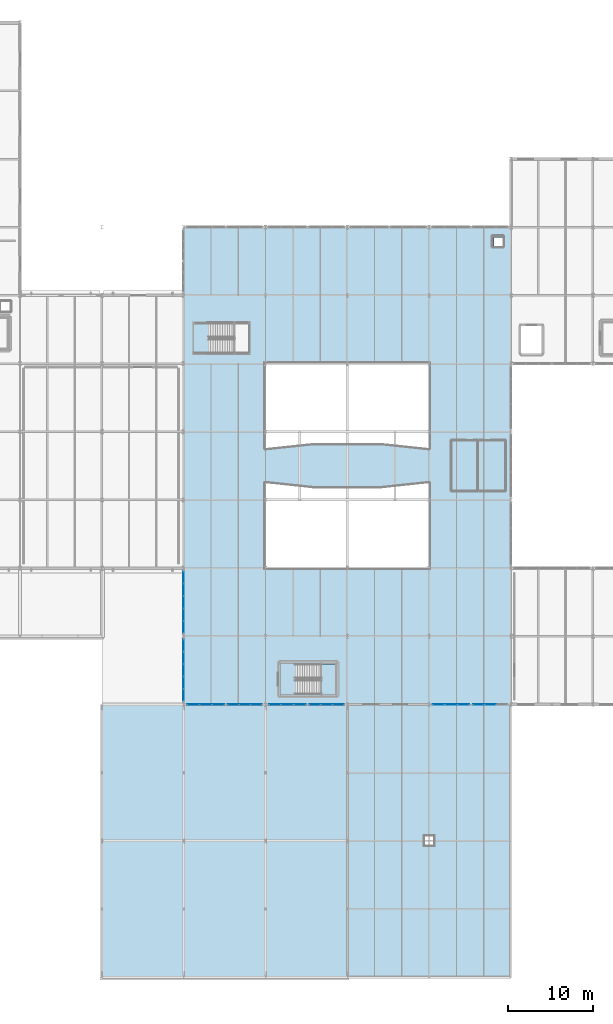
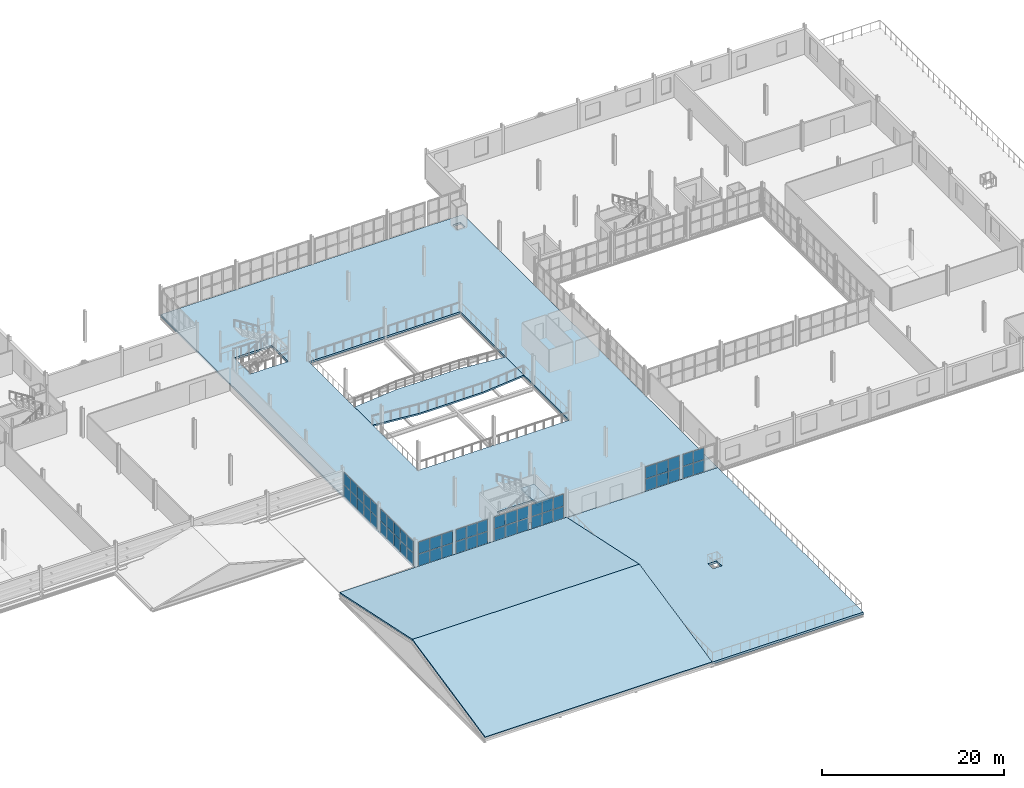
# One storey, part 58 of 85: 54 plates, 6 slabs, 9 elements without a shape of their own.
"""IFC4 building model written with IfcOpenShell, lengths in metres."""

from ifc_helpers import new_model, si_unit, direction, frame, origin, origin_2d, place, context, subcontext, project, spatial, polyline, rectangle, outline, extrude, material, layer, layer_set, type_object, element, aggregate, save


model = new_model("IFC4")

# Units and contexts
model_context = context("Model", 3, precision=1e-05, world=origin(), true_north=direction((0.0, 1.0)))
body_context = subcontext(model_context, "Body", "Model", "MODEL_VIEW")
ifc_project = project(units=[si_unit("LENGTHUNIT", "METRE"), si_unit("AREAUNIT", "SQUARE_METRE"), si_unit("VOLUMEUNIT", "CUBIC_METRE"), si_unit("PLANEANGLEUNIT", "RADIAN"), si_unit("MASSUNIT", "GRAM", prefix="KILO")], contexts=[model_context])

# Site, building, storey
site_placement = place(None, origin())
site = spatial("IfcSite", under=ifc_project, at=site_placement, CompositionType="ELEMENT")
building_placement = place(site_placement, origin())
building = spatial("IfcBuilding", under=site, at=building_placement, Name="Alderhovde Museum", CompositionType="ELEMENT")
storey_placement = place(building_placement, frame((0.0, 0.0, 8.699951171875)))
storey = spatial("IfcBuildingStorey", under=building, at=storey_placement, Name="L02", CompositionType="ELEMENT", Elevation=8.699951171875)

# Curtain wall, plates
ifc_material_1 = material(Name="Triple-Glazed Bronze-Anodised Curtain Wall", Category="glass")
ifc_layer_1 = layer(ifc_material_1, 0.179931640625)
ifc_layer_set_1 = layer_set([ifc_layer_1], Name="Triple-Glazed Bronze-Anodised Curtain Wall")
curtain_wall_type_1 = type_object("IfcCurtainWallType", Name="CW-UNIT-415x336", PredefinedType="USERDEFINED", material=ifc_layer_set_1)
curtain_wall_1_placement = place(storey_placement, origin())
curtain_wall_1 = element("IfcCurtainWall", 1, at=curtain_wall_1_placement, inside=storey, type_object=curtain_wall_type_1, Name="L02 Unitised Curtain Wall 36", ObjectType="UNITISED CURTAIN WALL", PredefinedType="USERDEFINED")
ifc_material_2 = material(Name="Triple-Glazed Low-E Laminated Glass", Category="glass")
ifc_layer_2 = layer(ifc_material_2, 0.028076171875)
ifc_layer_set_2 = layer_set([ifc_layer_2], Name="Triple-Glazed Low-E Laminated Glass")
plate_type_1 = type_object("IfcPlateType", Name="CWP-GLAZ-28", PredefinedType="CURTAIN_PANEL", material=ifc_layer_set_2)
plate_1_placement = place(storey_placement, frame((82.60791015625, 32.0, 0.06494140625), z_axis=(0.0, 0.0, 1.0), x_axis=(1.0, 0.0, 0.0)))
plate_1 = element("IfcPlate", 2, at=plate_1_placement, type_object=plate_type_1, Name="CW11 panel 1.1", PredefinedType="CURTAIN_PANEL", context=body_context, shape_type="SweptSolid", body=[
    extrude(rectangle(XDim=1.285888671875, YDim=0.028076171875, at=origin_2d()), origin(), (0.0, 0.0, 1.0), 1.58251953125),
])
plate_2_placement = place(storey_placement, frame((82.60791015625, 32.0, 1.712646484375), z_axis=(0.0, 0.0, 1.0), x_axis=(1.0, 0.0, 0.0)))
plate_2 = element("IfcPlate", 3, at=plate_2_placement, type_object=plate_type_1, Name="CW11 panel 1.2", PredefinedType="CURTAIN_PANEL", context=body_context, shape_type="SweptSolid", body=[
    extrude(rectangle(XDim=1.285888671875, YDim=0.028076171875, at=origin_2d()), origin(), (0.0, 0.0, 1.0), 1.58251953125),
])
plate_3_placement = place(storey_placement, frame((83.97509765625, 32.0, 0.06494140625), z_axis=(0.0, 0.0, 1.0), x_axis=(1.0, 0.0, 0.0)))
plate_3 = element("IfcPlate", 4, at=plate_3_placement, type_object=plate_type_1, Name="CW11 panel 2.1", PredefinedType="CURTAIN_PANEL", context=body_context, shape_type="SweptSolid", body=[
    extrude(rectangle(XDim=1.318359375, YDim=0.028076171875, at=origin_2d()), origin(), (0.0, 0.0, 1.0), 1.58251953125),
])
plate_4_placement = place(storey_placement, frame((83.97509765625, 32.0, 1.712646484375), z_axis=(0.0, 0.0, 1.0), x_axis=(1.0, 0.0, 0.0)))
plate_4 = element("IfcPlate", 5, at=plate_4_placement, type_object=plate_type_1, Name="CW11 panel 2.2", PredefinedType="CURTAIN_PANEL", context=body_context, shape_type="SweptSolid", body=[
    extrude(rectangle(XDim=1.318359375, YDim=0.028076171875, at=origin_2d()), origin(), (0.0, 0.0, 1.0), 1.58251953125),
])
plate_5_placement = place(storey_placement, frame((85.342041015625, 32.0, 0.06494140625), z_axis=(0.0, 0.0, 1.0), x_axis=(1.0, 0.0, 0.0)))
plate_5 = element("IfcPlate", 6, at=plate_5_placement, type_object=plate_type_1, Name="CW11 panel 3.1", PredefinedType="CURTAIN_PANEL", context=body_context, shape_type="SweptSolid", body=[
    extrude(rectangle(XDim=1.285888671875, YDim=0.028076171875, at=origin_2d()), origin(), (0.0, 0.0, 1.0), 1.58251953125),
])
plate_6_placement = place(storey_placement, frame((85.342041015625, 32.0, 1.712646484375), z_axis=(0.0, 0.0, 1.0), x_axis=(1.0, 0.0, 0.0)))
plate_6 = element("IfcPlate", 7, at=plate_6_placement, type_object=plate_type_1, Name="CW11 panel 3.2", PredefinedType="CURTAIN_PANEL", context=body_context, shape_type="SweptSolid", body=[
    extrude(rectangle(XDim=1.285888671875, YDim=0.028076171875, at=origin_2d()), origin(), (0.0, 0.0, 1.0), 1.58251953125),
])
aggregate(curtain_wall_1, [plate_1, plate_2, plate_3, plate_4, plate_5, plate_6])

curtain_wall_2_placement = place(storey_placement, origin())
curtain_wall_2 = element("IfcCurtainWall", 8, at=curtain_wall_2_placement, inside=storey, type_object=curtain_wall_type_1, Name="L02 Unitised Curtain Wall 40", ObjectType="UNITISED CURTAIN WALL", PredefinedType="USERDEFINED")
plate_7_placement = place(storey_placement, frame((111.407958984375, 32.0, 0.06494140625), z_axis=(0.0, 0.0, 1.0), x_axis=(1.0, 0.0, 0.0)))
plate_7 = element("IfcPlate", 9, at=plate_7_placement, type_object=plate_type_1, Name="CW11 panel 1.1", PredefinedType="CURTAIN_PANEL", context=body_context, shape_type="SweptSolid", body=[
    extrude(rectangle(XDim=1.285888671875, YDim=0.028076171875, at=origin_2d()), origin(), (0.0, 0.0, 1.0), 1.58251953125),
])
plate_8_placement = place(storey_placement, frame((111.407958984375, 32.0, 1.712646484375), z_axis=(0.0, 0.0, 1.0), x_axis=(1.0, 0.0, 0.0)))
plate_8 = element("IfcPlate", 10, at=plate_8_placement, type_object=plate_type_1, Name="CW11 panel 1.2", PredefinedType="CURTAIN_PANEL", context=body_context, shape_type="SweptSolid", body=[
    extrude(rectangle(XDim=1.285888671875, YDim=0.028076171875, at=origin_2d()), origin(), (0.0, 0.0, 1.0), 1.58251953125),
])
plate_9_placement = place(storey_placement, frame((112.77490234375, 32.0, 0.06494140625), z_axis=(0.0, 0.0, 1.0), x_axis=(1.0, 0.0, 0.0)))
plate_9 = element("IfcPlate", 11, at=plate_9_placement, type_object=plate_type_1, Name="CW11 panel 2.1", PredefinedType="CURTAIN_PANEL", context=body_context, shape_type="SweptSolid", body=[
    extrude(rectangle(XDim=1.318359375, YDim=0.028076171875, at=origin_2d()), origin(), (0.0, 0.0, 1.0), 1.58251953125),
])
plate_10_placement = place(storey_placement, frame((112.77490234375, 32.0, 1.712646484375), z_axis=(0.0, 0.0, 1.0), x_axis=(1.0, 0.0, 0.0)))
plate_10 = element("IfcPlate", 12, at=plate_10_placement, type_object=plate_type_1, Name="CW11 panel 2.2", PredefinedType="CURTAIN_PANEL", context=body_context, shape_type="SweptSolid", body=[
    extrude(rectangle(XDim=1.318359375, YDim=0.028076171875, at=origin_2d()), origin(), (0.0, 0.0, 1.0), 1.58251953125),
])
aggregate(curtain_wall_2, [plate_7, plate_8, plate_9, plate_10])

ifc_material_3 = material(Name="Triple-Glazed Bronze-Anodised Curtain Wall", Category="glass")
ifc_layer_3 = layer(ifc_material_3, 0.179931640625)
ifc_layer_set_3 = layer_set([ifc_layer_3], Name="Triple-Glazed Bronze-Anodised Curtain Wall")
curtain_wall_type_2 = type_object("IfcCurtainWallType", Name="CW-UNIT-445x336", PredefinedType="USERDEFINED", material=ifc_layer_set_3)
curtain_wall_3_placement = place(storey_placement, origin())
curtain_wall_3 = element("IfcCurtainWall", 13, at=curtain_wall_3_placement, inside=storey, type_object=curtain_wall_type_2, Name="L02 Unitised Curtain Wall 37", ObjectType="UNITISED CURTAIN WALL", PredefinedType="USERDEFINED")
ifc_material_4 = material(Name="Triple-Glazed Low-E Laminated Glass", Category="glass")
ifc_layer_4 = layer(ifc_material_4, 0.035888671875)
ifc_layer_set_4 = layer_set([ifc_layer_4], Name="Triple-Glazed Low-E Laminated Glass")
plate_type_2 = type_object("IfcPlateType", Name="CWP-GLAZ-36", PredefinedType="CURTAIN_PANEL", material=ifc_layer_set_4)
plate_11_placement = place(storey_placement, frame((87.5078125, 32.0, 0.06494140625), z_axis=(0.0, 0.0, 1.0), x_axis=(1.0, 0.0, 0.0)))
plate_11 = element("IfcPlate", 14, at=plate_11_placement, type_object=plate_type_2, Name="CW10 panel 1.1", PredefinedType="CURTAIN_PANEL", context=body_context, shape_type="SweptSolid", body=[
    extrude(rectangle(XDim=1.3857421875, YDim=0.035888671875, at=origin_2d()), origin(), (0.0, 0.0, 1.0), 1.58251953125),
])
plate_12_placement = place(storey_placement, frame((87.5078125, 32.0, 1.712646484375), z_axis=(0.0, 0.0, 1.0), x_axis=(1.0, 0.0, 0.0)))
plate_12 = element("IfcPlate", 15, at=plate_12_placement, type_object=plate_type_2, Name="CW10 panel 1.2", PredefinedType="CURTAIN_PANEL", context=body_context, shape_type="SweptSolid", body=[
    extrude(rectangle(XDim=1.3857421875, YDim=0.035888671875, at=origin_2d()), origin(), (0.0, 0.0, 1.0), 1.58251953125),
])
plate_13_placement = place(storey_placement, frame((88.97509765625, 32.0, 0.06494140625), z_axis=(0.0, 0.0, 1.0), x_axis=(1.0, 0.0, 0.0)))
plate_13 = element("IfcPlate", 16, at=plate_13_placement, type_object=plate_type_2, Name="CW10 panel 2.1", PredefinedType="CURTAIN_PANEL", context=body_context, shape_type="SweptSolid", body=[
    extrude(rectangle(XDim=1.418212890625, YDim=0.035888671875, at=origin_2d()), origin(), (0.0, 0.0, 1.0), 1.58251953125),
])
plate_14_placement = place(storey_placement, frame((88.97509765625, 32.0, 1.712646484375), z_axis=(0.0, 0.0, 1.0), x_axis=(1.0, 0.0, 0.0)))
plate_14 = element("IfcPlate", 17, at=plate_14_placement, type_object=plate_type_2, Name="CW10 panel 2.2", PredefinedType="CURTAIN_PANEL", context=body_context, shape_type="SweptSolid", body=[
    extrude(rectangle(XDim=1.418212890625, YDim=0.035888671875, at=origin_2d()), origin(), (0.0, 0.0, 1.0), 1.58251953125),
])
plate_15_placement = place(storey_placement, frame((90.442138671875, 32.0, 0.06494140625), z_axis=(0.0, 0.0, 1.0), x_axis=(1.0, 0.0, 0.0)))
plate_15 = element("IfcPlate", 18, at=plate_15_placement, type_object=plate_type_2, Name="CW10 panel 3.1", PredefinedType="CURTAIN_PANEL", context=body_context, shape_type="SweptSolid", body=[
    extrude(rectangle(XDim=1.3857421875, YDim=0.035888671875, at=origin_2d()), origin(), (0.0, 0.0, 1.0), 1.58251953125),
])
plate_16_placement = place(storey_placement, frame((90.442138671875, 32.0, 1.712646484375), z_axis=(0.0, 0.0, 1.0), x_axis=(1.0, 0.0, 0.0)))
plate_16 = element("IfcPlate", 19, at=plate_16_placement, type_object=plate_type_2, Name="CW10 panel 3.2", PredefinedType="CURTAIN_PANEL", context=body_context, shape_type="SweptSolid", body=[
    extrude(rectangle(XDim=1.3857421875, YDim=0.035888671875, at=origin_2d()), origin(), (0.0, 0.0, 1.0), 1.58251953125),
])
aggregate(curtain_wall_3, [plate_11, plate_12, plate_13, plate_14, plate_15, plate_16])

ifc_material_5 = material(Name="Triple-Glazed Bronze-Anodised Curtain Wall", Category="glass")
ifc_layer_5 = layer(ifc_material_5, 0.179931640625)
ifc_layer_set_5 = layer_set([ifc_layer_5], Name="Triple-Glazed Bronze-Anodised Curtain Wall")
curtain_wall_type_3 = type_object("IfcCurtainWallType", Name="CW-STIC-730x336", PredefinedType="USERDEFINED", material=ifc_layer_set_5)
curtain_wall_4_placement = place(storey_placement, origin())
curtain_wall_4 = element("IfcCurtainWall", 20, at=curtain_wall_4_placement, inside=storey, type_object=curtain_wall_type_3, Name="L02 Stick Curtain Wall 41", ObjectType="STICK CURTAIN WALL", PredefinedType="USERDEFINED")
plate_17_placement = place(storey_placement, frame((76.800048828125, 33.09619140625, 0.06494140625), z_axis=(0.0, 0.0, 1.0), x_axis=(0.0, 1.0, 0.0)))
plate_17 = element("IfcPlate", 21, at=plate_17_placement, type_object=plate_type_2, Name="CW12 panel 1.1", PredefinedType="CURTAIN_PANEL", context=body_context, shape_type="SweptSolid", body=[
    extrude(rectangle(XDim=1.362548828125, YDim=0.035888671875, at=origin_2d()), origin(), (0.0, 0.0, 1.0), 1.58251953125),
])
plate_18_placement = place(storey_placement, frame((76.800048828125, 33.09619140625, 1.712646484375), z_axis=(0.0, 0.0, 1.0), x_axis=(0.0, 1.0, 0.0)))
plate_18 = element("IfcPlate", 22, at=plate_18_placement, type_object=plate_type_2, Name="CW12 panel 1.2", PredefinedType="CURTAIN_PANEL", context=body_context, shape_type="SweptSolid", body=[
    extrude(rectangle(XDim=1.362548828125, YDim=0.035888671875, at=origin_2d()), origin(), (0.0, 0.0, 1.0), 1.58251953125),
])
plate_19_placement = place(storey_placement, frame((76.800048828125, 34.5400390625, 0.06494140625), z_axis=(0.0, 0.0, 1.0), x_axis=(0.0, 1.0, 0.0)))
plate_19 = element("IfcPlate", 23, at=plate_19_placement, type_object=plate_type_2, Name="CW12 panel 2.1", PredefinedType="CURTAIN_PANEL", context=body_context, shape_type="SweptSolid", body=[
    extrude(rectangle(XDim=1.39501953125, YDim=0.035888671875, at=origin_2d()), origin(), (0.0, 0.0, 1.0), 1.58251953125),
])
plate_20_placement = place(storey_placement, frame((76.800048828125, 34.5400390625, 1.712646484375), z_axis=(0.0, 0.0, 1.0), x_axis=(0.0, 1.0, 0.0)))
plate_20 = element("IfcPlate", 24, at=plate_20_placement, type_object=plate_type_2, Name="CW12 panel 2.2", PredefinedType="CURTAIN_PANEL", context=body_context, shape_type="SweptSolid", body=[
    extrude(rectangle(XDim=1.39501953125, YDim=0.035888671875, at=origin_2d()), origin(), (0.0, 0.0, 1.0), 1.58251953125),
])
plate_21_placement = place(storey_placement, frame((76.800048828125, 36.0, 0.06494140625), z_axis=(0.0, 0.0, 1.0), x_axis=(0.0, 1.0, 0.0)))
plate_21 = element("IfcPlate", 25, at=plate_21_placement, type_object=plate_type_2, Name="CW12 panel 3.1", PredefinedType="CURTAIN_PANEL", context=body_context, shape_type="SweptSolid", body=[
    extrude(rectangle(XDim=1.39501953125, YDim=0.035888671875, at=origin_2d()), origin(), (0.0, 0.0, 1.0), 1.58251953125),
])
plate_22_placement = place(storey_placement, frame((76.800048828125, 36.0, 1.712646484375), z_axis=(0.0, 0.0, 1.0), x_axis=(0.0, 1.0, 0.0)))
plate_22 = element("IfcPlate", 26, at=plate_22_placement, type_object=plate_type_2, Name="CW12 panel 3.2", PredefinedType="CURTAIN_PANEL", context=body_context, shape_type="SweptSolid", body=[
    extrude(rectangle(XDim=1.39501953125, YDim=0.035888671875, at=origin_2d()), origin(), (0.0, 0.0, 1.0), 1.58251953125),
])
plate_23_placement = place(storey_placement, frame((76.800048828125, 37.4599609375, 0.06494140625), z_axis=(0.0, 0.0, 1.0), x_axis=(0.0, 1.0, 0.0)))
plate_23 = element("IfcPlate", 27, at=plate_23_placement, type_object=plate_type_2, Name="CW12 panel 4.1", PredefinedType="CURTAIN_PANEL", context=body_context, shape_type="SweptSolid", body=[
    extrude(rectangle(XDim=1.39501953125, YDim=0.035888671875, at=origin_2d()), origin(), (0.0, 0.0, 1.0), 1.58251953125),
])
plate_24_placement = place(storey_placement, frame((76.800048828125, 37.4599609375, 1.712646484375), z_axis=(0.0, 0.0, 1.0), x_axis=(0.0, 1.0, 0.0)))
plate_24 = element("IfcPlate", 28, at=plate_24_placement, type_object=plate_type_2, Name="CW12 panel 4.2", PredefinedType="CURTAIN_PANEL", context=body_context, shape_type="SweptSolid", body=[
    extrude(rectangle(XDim=1.39501953125, YDim=0.035888671875, at=origin_2d()), origin(), (0.0, 0.0, 1.0), 1.58251953125),
])
plate_25_placement = place(storey_placement, frame((76.800048828125, 38.90380859375, 0.06494140625), z_axis=(0.0, 0.0, 1.0), x_axis=(0.0, 1.0, 0.0)))
plate_25 = element("IfcPlate", 29, at=plate_25_placement, type_object=plate_type_2, Name="CW12 panel 5.1", PredefinedType="CURTAIN_PANEL", context=body_context, shape_type="SweptSolid", body=[
    extrude(rectangle(XDim=1.362548828125, YDim=0.035888671875, at=origin_2d()), origin(), (0.0, 0.0, 1.0), 1.58251953125),
])
plate_26_placement = place(storey_placement, frame((76.800048828125, 38.90380859375, 1.712646484375), z_axis=(0.0, 0.0, 1.0), x_axis=(0.0, 1.0, 0.0)))
plate_26 = element("IfcPlate", 30, at=plate_26_placement, type_object=plate_type_2, Name="CW12 panel 5.2", PredefinedType="CURTAIN_PANEL", context=body_context, shape_type="SweptSolid", body=[
    extrude(rectangle(XDim=1.362548828125, YDim=0.035888671875, at=origin_2d()), origin(), (0.0, 0.0, 1.0), 1.58251953125),
])
aggregate(curtain_wall_4, [plate_17, plate_18, plate_19, plate_20, plate_21, plate_22, plate_23, plate_24, plate_25, plate_26])

curtain_wall_5_placement = place(storey_placement, origin())
curtain_wall_5 = element("IfcCurtainWall", 31, at=curtain_wall_5_placement, inside=storey, type_object=curtain_wall_type_1, Name="L02 Unitised Curtain Wall 38", ObjectType="UNITISED CURTAIN WALL", PredefinedType="USERDEFINED")
ifc_material_6 = material(Name="Triple-Glazed Low-E Laminated Glass", Category="glass")
ifc_layer_6 = layer(ifc_material_6, 0.0439453125)
ifc_layer_set_6 = layer_set([ifc_layer_6], Name="Triple-Glazed Low-E Laminated Glass")
plate_type_3 = type_object("IfcPlateType", Name="CWP-GLAZ-44", PredefinedType="CURTAIN_PANEL", material=ifc_layer_set_6)
plate_27_placement = place(storey_placement, frame((92.2080078125, 32.0, 0.06494140625), z_axis=(0.0, 0.0, 1.0), x_axis=(1.0, 0.0, 0.0)))
plate_27 = element("IfcPlate", 32, at=plate_27_placement, type_object=plate_type_3, Name="CW11 panel 1.1", PredefinedType="CURTAIN_PANEL", context=body_context, shape_type="SweptSolid", body=[
    extrude(rectangle(XDim=1.285888671875, YDim=0.0439453125, at=origin_2d()), origin(), (0.0, 0.0, 1.0), 1.58251953125),
])
plate_28_placement = place(storey_placement, frame((92.2080078125, 32.0, 1.712646484375), z_axis=(0.0, 0.0, 1.0), x_axis=(1.0, 0.0, 0.0)))
plate_28 = element("IfcPlate", 33, at=plate_28_placement, type_object=plate_type_3, Name="CW11 panel 1.2", PredefinedType="CURTAIN_PANEL", context=body_context, shape_type="SweptSolid", body=[
    extrude(rectangle(XDim=1.285888671875, YDim=0.0439453125, at=origin_2d()), origin(), (0.0, 0.0, 1.0), 1.58251953125),
])
plate_29_placement = place(storey_placement, frame((93.574951171875, 32.0, 0.06494140625), z_axis=(0.0, 0.0, 1.0), x_axis=(1.0, 0.0, 0.0)))
plate_29 = element("IfcPlate", 34, at=plate_29_placement, type_object=plate_type_3, Name="CW11 panel 2.1", PredefinedType="CURTAIN_PANEL", context=body_context, shape_type="SweptSolid", body=[
    extrude(rectangle(XDim=1.318359375, YDim=0.0439453125, at=origin_2d()), origin(), (0.0, 0.0, 1.0), 1.58251953125),
])
plate_30_placement = place(storey_placement, frame((93.574951171875, 32.0, 1.712646484375), z_axis=(0.0, 0.0, 1.0), x_axis=(1.0, 0.0, 0.0)))
plate_30 = element("IfcPlate", 35, at=plate_30_placement, type_object=plate_type_3, Name="CW11 panel 2.2", PredefinedType="CURTAIN_PANEL", context=body_context, shape_type="SweptSolid", body=[
    extrude(rectangle(XDim=1.318359375, YDim=0.0439453125, at=origin_2d()), origin(), (0.0, 0.0, 1.0), 1.58251953125),
])
plate_31_placement = place(storey_placement, frame((94.942138671875, 32.0, 0.06494140625), z_axis=(0.0, 0.0, 1.0), x_axis=(1.0, 0.0, 0.0)))
plate_31 = element("IfcPlate", 36, at=plate_31_placement, type_object=plate_type_3, Name="CW11 panel 3.1", PredefinedType="CURTAIN_PANEL", context=body_context, shape_type="SweptSolid", body=[
    extrude(rectangle(XDim=1.285888671875, YDim=0.0439453125, at=origin_2d()), origin(), (0.0, 0.0, 1.0), 1.58251953125),
])
plate_32_placement = place(storey_placement, frame((94.942138671875, 32.0, 1.712646484375), z_axis=(0.0, 0.0, 1.0), x_axis=(1.0, 0.0, 0.0)))
plate_32 = element("IfcPlate", 37, at=plate_32_placement, type_object=plate_type_3, Name="CW11 panel 3.2", PredefinedType="CURTAIN_PANEL", context=body_context, shape_type="SweptSolid", body=[
    extrude(rectangle(XDim=1.285888671875, YDim=0.0439453125, at=origin_2d()), origin(), (0.0, 0.0, 1.0), 1.58251953125),
])
aggregate(curtain_wall_5, [plate_27, plate_28, plate_29, plate_30, plate_31, plate_32])

curtain_wall_6_placement = place(storey_placement, origin())
curtain_wall_6 = element("IfcCurtainWall", 38, at=curtain_wall_6_placement, inside=storey, type_object=curtain_wall_type_3, Name="L02 Stick Curtain Wall 42", ObjectType="STICK CURTAIN WALL", PredefinedType="USERDEFINED")
plate_33_placement = place(storey_placement, frame((76.800048828125, 41.09619140625, 0.06494140625), z_axis=(0.0, 0.0, 1.0), x_axis=(0.0, 1.0, 0.0)))
plate_33 = element("IfcPlate", 39, at=plate_33_placement, type_object=plate_type_3, Name="CW12 panel 1.1", PredefinedType="CURTAIN_PANEL", context=body_context, shape_type="SweptSolid", body=[
    extrude(rectangle(XDim=1.362548828125, YDim=0.0439453125, at=origin_2d()), origin(), (0.0, 0.0, 1.0), 1.58251953125),
])
plate_34_placement = place(storey_placement, frame((76.800048828125, 41.09619140625, 1.712646484375), z_axis=(0.0, 0.0, 1.0), x_axis=(0.0, 1.0, 0.0)))
plate_34 = element("IfcPlate", 40, at=plate_34_placement, type_object=plate_type_3, Name="CW12 panel 1.2", PredefinedType="CURTAIN_PANEL", context=body_context, shape_type="SweptSolid", body=[
    extrude(rectangle(XDim=1.362548828125, YDim=0.0439453125, at=origin_2d()), origin(), (0.0, 0.0, 1.0), 1.58251953125),
])
plate_35_placement = place(storey_placement, frame((76.800048828125, 42.5400390625, 0.06494140625), z_axis=(0.0, 0.0, 1.0), x_axis=(0.0, 1.0, 0.0)))
plate_35 = element("IfcPlate", 41, at=plate_35_placement, type_object=plate_type_3, Name="CW12 panel 2.1", PredefinedType="CURTAIN_PANEL", context=body_context, shape_type="SweptSolid", body=[
    extrude(rectangle(XDim=1.39501953125, YDim=0.0439453125, at=origin_2d()), origin(), (0.0, 0.0, 1.0), 1.58251953125),
])
plate_36_placement = place(storey_placement, frame((76.800048828125, 42.5400390625, 1.712646484375), z_axis=(0.0, 0.0, 1.0), x_axis=(0.0, 1.0, 0.0)))
plate_36 = element("IfcPlate", 42, at=plate_36_placement, type_object=plate_type_3, Name="CW12 panel 2.2", PredefinedType="CURTAIN_PANEL", context=body_context, shape_type="SweptSolid", body=[
    extrude(rectangle(XDim=1.39501953125, YDim=0.0439453125, at=origin_2d()), origin(), (0.0, 0.0, 1.0), 1.58251953125),
])
plate_37_placement = place(storey_placement, frame((76.800048828125, 44.0, 0.06494140625), z_axis=(0.0, 0.0, 1.0), x_axis=(0.0, 1.0, 0.0)))
plate_37 = element("IfcPlate", 43, at=plate_37_placement, type_object=plate_type_3, Name="CW12 panel 3.1", PredefinedType="CURTAIN_PANEL", context=body_context, shape_type="SweptSolid", body=[
    extrude(rectangle(XDim=1.39501953125, YDim=0.0439453125, at=origin_2d()), origin(), (0.0, 0.0, 1.0), 1.58251953125),
])
plate_38_placement = place(storey_placement, frame((76.800048828125, 44.0, 1.712646484375), z_axis=(0.0, 0.0, 1.0), x_axis=(0.0, 1.0, 0.0)))
plate_38 = element("IfcPlate", 44, at=plate_38_placement, type_object=plate_type_3, Name="CW12 panel 3.2", PredefinedType="CURTAIN_PANEL", context=body_context, shape_type="SweptSolid", body=[
    extrude(rectangle(XDim=1.39501953125, YDim=0.0439453125, at=origin_2d()), origin(), (0.0, 0.0, 1.0), 1.58251953125),
])
plate_39_placement = place(storey_placement, frame((76.800048828125, 45.4599609375, 0.06494140625), z_axis=(0.0, 0.0, 1.0), x_axis=(0.0, 1.0, 0.0)))
plate_39 = element("IfcPlate", 45, at=plate_39_placement, type_object=plate_type_3, Name="CW12 panel 4.1", PredefinedType="CURTAIN_PANEL", context=body_context, shape_type="SweptSolid", body=[
    extrude(rectangle(XDim=1.39501953125, YDim=0.0439453125, at=origin_2d()), origin(), (0.0, 0.0, 1.0), 1.58251953125),
])
plate_40_placement = place(storey_placement, frame((76.800048828125, 45.4599609375, 1.712646484375), z_axis=(0.0, 0.0, 1.0), x_axis=(0.0, 1.0, 0.0)))
plate_40 = element("IfcPlate", 46, at=plate_40_placement, type_object=plate_type_3, Name="CW12 panel 4.2", PredefinedType="CURTAIN_PANEL", context=body_context, shape_type="SweptSolid", body=[
    extrude(rectangle(XDim=1.39501953125, YDim=0.0439453125, at=origin_2d()), origin(), (0.0, 0.0, 1.0), 1.58251953125),
])
plate_41_placement = place(storey_placement, frame((76.800048828125, 46.90380859375, 0.06494140625), z_axis=(0.0, 0.0, 1.0), x_axis=(0.0, 1.0, 0.0)))
plate_41 = element("IfcPlate", 47, at=plate_41_placement, type_object=plate_type_3, Name="CW12 panel 5.1", PredefinedType="CURTAIN_PANEL", context=body_context, shape_type="SweptSolid", body=[
    extrude(rectangle(XDim=1.362548828125, YDim=0.0439453125, at=origin_2d()), origin(), (0.0, 0.0, 1.0), 1.58251953125),
])
plate_42_placement = place(storey_placement, frame((76.800048828125, 46.90380859375, 1.712646484375), z_axis=(0.0, 0.0, 1.0), x_axis=(0.0, 1.0, 0.0)))
plate_42 = element("IfcPlate", 48, at=plate_42_placement, type_object=plate_type_3, Name="CW12 panel 5.2", PredefinedType="CURTAIN_PANEL", context=body_context, shape_type="SweptSolid", body=[
    extrude(rectangle(XDim=1.362548828125, YDim=0.0439453125, at=origin_2d()), origin(), (0.0, 0.0, 1.0), 1.58251953125),
])
aggregate(curtain_wall_6, [plate_33, plate_34, plate_35, plate_36, plate_37, plate_38, plate_39, plate_40, plate_41, plate_42])

curtain_wall_7_placement = place(storey_placement, origin())
curtain_wall_7 = element("IfcCurtainWall", 49, at=curtain_wall_7_placement, inside=storey, type_object=curtain_wall_type_2, Name="L02 Unitised Curtain Wall 35", ObjectType="UNITISED CURTAIN WALL", PredefinedType="USERDEFINED")
ifc_material_7 = material(Name="Triple-Glazed Low-E Laminated Glass", Category="glass")
ifc_layer_7 = layer(ifc_material_7, 0.052001953125)
ifc_layer_set_7 = layer_set([ifc_layer_7], Name="Triple-Glazed Low-E Laminated Glass")
plate_type_4 = type_object("IfcPlateType", Name="CWP-GLAZ-52", PredefinedType="CURTAIN_PANEL", material=ifc_layer_set_7)
plate_43_placement = place(storey_placement, frame((77.907958984375, 32.0, 0.06494140625), z_axis=(0.0, 0.0, 1.0), x_axis=(1.0, 0.0, 0.0)))
plate_43 = element("IfcPlate", 50, at=plate_43_placement, type_object=plate_type_4, Name="CW10 panel 1.1", PredefinedType="CURTAIN_PANEL", context=body_context, shape_type="SweptSolid", body=[
    extrude(rectangle(XDim=1.3857421875, YDim=0.052001953125, at=origin_2d()), origin(), (0.0, 0.0, 1.0), 1.58251953125),
])
plate_44_placement = place(storey_placement, frame((77.907958984375, 32.0, 1.712646484375), z_axis=(0.0, 0.0, 1.0), x_axis=(1.0, 0.0, 0.0)))
plate_44 = element("IfcPlate", 51, at=plate_44_placement, type_object=plate_type_4, Name="CW10 panel 1.2", PredefinedType="CURTAIN_PANEL", context=body_context, shape_type="SweptSolid", body=[
    extrude(rectangle(XDim=1.3857421875, YDim=0.052001953125, at=origin_2d()), origin(), (0.0, 0.0, 1.0), 1.58251953125),
])
plate_45_placement = place(storey_placement, frame((79.375, 32.0, 0.06494140625), z_axis=(0.0, 0.0, 1.0), x_axis=(1.0, 0.0, 0.0)))
plate_45 = element("IfcPlate", 52, at=plate_45_placement, type_object=plate_type_4, Name="CW10 panel 2.1", PredefinedType="CURTAIN_PANEL", context=body_context, shape_type="SweptSolid", body=[
    extrude(rectangle(XDim=1.418212890625, YDim=0.052001953125, at=origin_2d()), origin(), (0.0, 0.0, 1.0), 1.58251953125),
])
plate_46_placement = place(storey_placement, frame((79.375, 32.0, 1.712646484375), z_axis=(0.0, 0.0, 1.0), x_axis=(1.0, 0.0, 0.0)))
plate_46 = element("IfcPlate", 53, at=plate_46_placement, type_object=plate_type_4, Name="CW10 panel 2.2", PredefinedType="CURTAIN_PANEL", context=body_context, shape_type="SweptSolid", body=[
    extrude(rectangle(XDim=1.418212890625, YDim=0.052001953125, at=origin_2d()), origin(), (0.0, 0.0, 1.0), 1.58251953125),
])
plate_47_placement = place(storey_placement, frame((80.842041015625, 32.0, 0.06494140625), z_axis=(0.0, 0.0, 1.0), x_axis=(1.0, 0.0, 0.0)))
plate_47 = element("IfcPlate", 54, at=plate_47_placement, type_object=plate_type_4, Name="CW10 panel 3.1", PredefinedType="CURTAIN_PANEL", context=body_context, shape_type="SweptSolid", body=[
    extrude(rectangle(XDim=1.3857421875, YDim=0.052001953125, at=origin_2d()), origin(), (0.0, 0.0, 1.0), 1.58251953125),
])
plate_48_placement = place(storey_placement, frame((80.842041015625, 32.0, 1.712646484375), z_axis=(0.0, 0.0, 1.0), x_axis=(1.0, 0.0, 0.0)))
plate_48 = element("IfcPlate", 55, at=plate_48_placement, type_object=plate_type_4, Name="CW10 panel 3.2", PredefinedType="CURTAIN_PANEL", context=body_context, shape_type="SweptSolid", body=[
    extrude(rectangle(XDim=1.3857421875, YDim=0.052001953125, at=origin_2d()), origin(), (0.0, 0.0, 1.0), 1.58251953125),
])
aggregate(curtain_wall_7, [plate_43, plate_44, plate_45, plate_46, plate_47, plate_48])

curtain_wall_8_placement = place(storey_placement, origin())
curtain_wall_8 = element("IfcCurtainWall", 56, at=curtain_wall_8_placement, inside=storey, type_object=curtain_wall_type_2, Name="L02 Unitised Curtain Wall 39", ObjectType="UNITISED CURTAIN WALL", PredefinedType="USERDEFINED")
plate_49_placement = place(storey_placement, frame((106.7080078125, 32.0, 0.06494140625), z_axis=(0.0, 0.0, 1.0), x_axis=(1.0, 0.0, 0.0)))
plate_49 = element("IfcPlate", 57, at=plate_49_placement, type_object=plate_type_4, Name="CW10 panel 1.1", PredefinedType="CURTAIN_PANEL", context=body_context, shape_type="SweptSolid", body=[
    extrude(rectangle(XDim=1.3857421875, YDim=0.052001953125, at=origin_2d()), origin(), (0.0, 0.0, 1.0), 1.58251953125),
])
plate_50_placement = place(storey_placement, frame((106.7080078125, 32.0, 1.712646484375), z_axis=(0.0, 0.0, 1.0), x_axis=(1.0, 0.0, 0.0)))
plate_50 = element("IfcPlate", 58, at=plate_50_placement, type_object=plate_type_4, Name="CW10 panel 1.2", PredefinedType="CURTAIN_PANEL", context=body_context, shape_type="SweptSolid", body=[
    extrude(rectangle(XDim=1.3857421875, YDim=0.052001953125, at=origin_2d()), origin(), (0.0, 0.0, 1.0), 1.58251953125),
])
plate_51_placement = place(storey_placement, frame((108.175048828125, 32.0, 0.06494140625), z_axis=(0.0, 0.0, 1.0), x_axis=(1.0, 0.0, 0.0)))
plate_51 = element("IfcPlate", 59, at=plate_51_placement, type_object=plate_type_4, Name="CW10 panel 2.1", PredefinedType="CURTAIN_PANEL", context=body_context, shape_type="SweptSolid", body=[
    extrude(rectangle(XDim=1.418212890625, YDim=0.052001953125, at=origin_2d()), origin(), (0.0, 0.0, 1.0), 1.58251953125),
])
plate_52_placement = place(storey_placement, frame((108.175048828125, 32.0, 1.712646484375), z_axis=(0.0, 0.0, 1.0), x_axis=(1.0, 0.0, 0.0)))
plate_52 = element("IfcPlate", 60, at=plate_52_placement, type_object=plate_type_4, Name="CW10 panel 2.2", PredefinedType="CURTAIN_PANEL", context=body_context, shape_type="SweptSolid", body=[
    extrude(rectangle(XDim=1.418212890625, YDim=0.052001953125, at=origin_2d()), origin(), (0.0, 0.0, 1.0), 1.58251953125),
])
plate_53_placement = place(storey_placement, frame((109.64208984375, 32.0, 0.06494140625), z_axis=(0.0, 0.0, 1.0), x_axis=(1.0, 0.0, 0.0)))
plate_53 = element("IfcPlate", 61, at=plate_53_placement, type_object=plate_type_4, Name="CW10 panel 3.1", PredefinedType="CURTAIN_PANEL", context=body_context, shape_type="SweptSolid", body=[
    extrude(rectangle(XDim=1.3857421875, YDim=0.052001953125, at=origin_2d()), origin(), (0.0, 0.0, 1.0), 1.58251953125),
])
plate_54_placement = place(storey_placement, frame((109.64208984375, 32.0, 1.712646484375), z_axis=(0.0, 0.0, 1.0), x_axis=(1.0, 0.0, 0.0)))
plate_54 = element("IfcPlate", 62, at=plate_54_placement, type_object=plate_type_4, Name="CW10 panel 3.2", PredefinedType="CURTAIN_PANEL", context=body_context, shape_type="SweptSolid", body=[
    extrude(rectangle(XDim=1.3857421875, YDim=0.052001953125, at=origin_2d()), origin(), (0.0, 0.0, 1.0), 1.58251953125),
])
aggregate(curtain_wall_8, [plate_49, plate_50, plate_51, plate_52, plate_53, plate_54])

# Slabs
ifc_material_8 = material(Name="Concrete C35/45", Category="concrete")
ifc_layer_8 = layer(ifc_material_8, 0.219970703125)
ifc_layer_set_8 = layer_set([ifc_layer_8], Name="Concrete C35/45")
slab_type_1 = type_object("IfcSlabType", Name="SLB-BRIDGE-220", PredefinedType="FLOOR", material=ifc_layer_set_8)
slab_1_placement = place(storey_placement, frame((0.0, 0.0, -0.219970703125)))
element("IfcSlab", 63, at=slab_1_placement, inside=storey, type_object=slab_type_1, Name="L02 Conservatory Atrium Bridge Slab", PredefinedType="FLOOR", context=body_context, shape_type="SweptSolid", body=[
    extrude(outline(polyline([(86.39990234375, 58.0), (92.0, 57.39990234375), (100.0, 57.39990234375), (105.60009765625, 58.0), (105.60009765625, 62.0), (100.0, 62.60009765625), (92.0, 62.60009765625), (86.39990234375, 62.0), (86.39990234375, 58.0)])), origin(), (0.0, 0.0, 1.0), 0.219970703125),
])
ifc_material_9 = material(Name="Concrete C35/45", Category="concrete")
ifc_layer_9 = layer(ifc_material_9, 0.260009765625)
ifc_layer_set_9 = layer_set([ifc_layer_9], Name="Concrete C35/45")
slab_type_2 = type_object("IfcSlabType", Name="SLB-FLR-260", PredefinedType="FLOOR", material=ifc_layer_set_9)
slab_2_placement = place(storey_placement, frame((0.0, 0.0, -0.260009765625)))
element("IfcSlab", 64, at=slab_2_placement, inside=storey, type_object=slab_type_2, Name="L02 VOL2 Structural Slab", PredefinedType="FLOOR", context=body_context, shape_type="SweptSolid", body=[
    extrude(outline(polyline([(76.800048828125, 32.0), (115.199951171875, 32.0), (115.199951171875, 88.0), (76.800048828125, 88.0), (76.800048828125, 32.0)]), holes=[polyline([(89.909912109375, 33.199951171875), (94.639892578125, 33.199951171875), (94.639892578125, 36.760009765625), (89.909912109375, 36.760009765625), (89.909912109375, 33.199951171875)]), polyline([(79.7099609375, 73.199951171875), (84.43994140625, 73.199951171875), (84.43994140625, 76.760009765625), (79.7099609375, 76.760009765625), (79.7099609375, 73.199951171875)]), polyline([(86.39990234375, 48.0), (105.60009765625, 48.0), (105.60009765625, 72.0), (86.39990234375, 72.0), (86.39990234375, 48.0)]), polyline([(113.199951171875, 85.800048828125), (114.199951171875, 85.800048828125), (114.199951171875, 86.800048828125), (113.199951171875, 86.800048828125), (113.199951171875, 85.800048828125)])]), origin(), (0.0, 0.0, 1.0), 0.260009765625),
])

# Stair, slab
ifc_material_10 = material(Name="Concrete C35/45", Category="concrete")
stair_type = type_object("IfcStairType", Name="STR-1500-4200", PredefinedType="HALF_TURN_STAIR", material=ifc_material_10)
stair_placement = place(storey_placement, origin())
stair = element("IfcStair", 65, at=stair_placement, inside=storey, type_object=stair_type, Name="L02 Escape Stair ST3", PredefinedType="HALF_TURN_STAIR")
ifc_material_11 = material(Name="Concrete C35/45", Category="concrete")
ifc_layer_10 = layer(ifc_material_11, 0.199951171875)
ifc_layer_set_10 = layer_set([ifc_layer_10], Name="Concrete C35/45")
slab_type_3 = type_object("IfcSlabType", Name="SLB-LANDING-200", PredefinedType="LANDING", material=ifc_layer_set_10)
slab_3_placement = place(storey_placement, frame((0.0, 0.0, 1.900146484375)))
slab_3 = element("IfcSlab", 66, at=slab_3_placement, type_object=slab_type_3, Name="ST3 landing 1", PredefinedType="LANDING", context=body_context, shape_type="SweptSolid", body=[
    extrude(outline(polyline([(92.9599609375, 33.199951171875), (94.639892578125, 33.199951171875), (94.639892578125, 36.760009765625), (92.9599609375, 36.760009765625), (92.9599609375, 33.199951171875)])), origin(), (0.0, 0.0, 1.0), 0.199951171875),
])
aggregate(stair, [slab_3])

# Slabs
ifc_material_12 = material(Name="Concrete C35/45", Category="concrete")
ifc_layer_11 = layer(ifc_material_12, 0.199951171875)
ifc_layer_set_11 = layer_set([ifc_layer_11], Name="Concrete C35/45")
slab_type_4 = type_object("IfcSlabType", Name="SLB-ROOF-200", PredefinedType="ROOF", material=ifc_layer_set_11)
for number, where, z_axis, x_axis, name in (
    (67, (67.199951171875, 0.0, 0.0400390625), (0.0, -0.207853043546, 0.978160064759), (1.0, 0.0, 0.0), "Civic Auditorium South Pitched Beaux-Arts Roof"),
    (68, (67.199951171875, 16.0, 3.43994140625), (0.0, 0.207853043546, 0.978160064759), (1.0, 0.0, 0.0), "Civic Auditorium North Pitched Beaux-Arts Roof"),
):
    element("IfcSlab", number, at=place(storey_placement, frame(where, z_axis=z_axis, x_axis=x_axis)), inside=storey, type_object=slab_type_4, Name=name, PredefinedType="ROOF", context=body_context, shape_type="SweptSolid", body=[
        extrude(outline(polyline([(0.0, 0.0), (28.800048828125, 0.0), (28.800048828125, 16.357241086046166), (0.0, 16.357241086046166), (0.0, 0.0)])), origin(), (0.0, 0.0, -1.0), 0.199951171875),
    ])
ifc_material_13 = material(Name="Concrete C40/50", Category="concrete")
ifc_layer_12 = layer(ifc_material_13, 0.300048828125)
ifc_layer_set_12 = layer_set([ifc_layer_12], Name="Concrete C40/50")
slab_type_5 = type_object("IfcSlabType", Name="SLB-TERR-300", PredefinedType="FLOOR", material=ifc_layer_set_12)
slab_4_placement = place(storey_placement, frame((0.0, 0.0, -0.300048828125)))
element("IfcSlab", 69, at=slab_4_placement, inside=storey, type_object=slab_type_5, Name="L02 Auditorium Roof Garden Terrace", PredefinedType="FLOOR", context=body_context, shape_type="SweptSolid", body=[
    extrude(outline(polyline([(96.0, 0.0), (115.199951171875, 0.0), (115.199951171875, 32.0), (96.0, 32.0), (96.0, 0.0)]), holes=[polyline([(105.050048828125, 15.449951171875), (106.14990234375, 15.449951171875), (106.14990234375, 16.550048828125), (105.050048828125, 16.550048828125), (105.050048828125, 15.449951171875)])]), origin(), (0.0, 0.0, 1.0), 0.300048828125),
])

save(model, "model.ifc")
